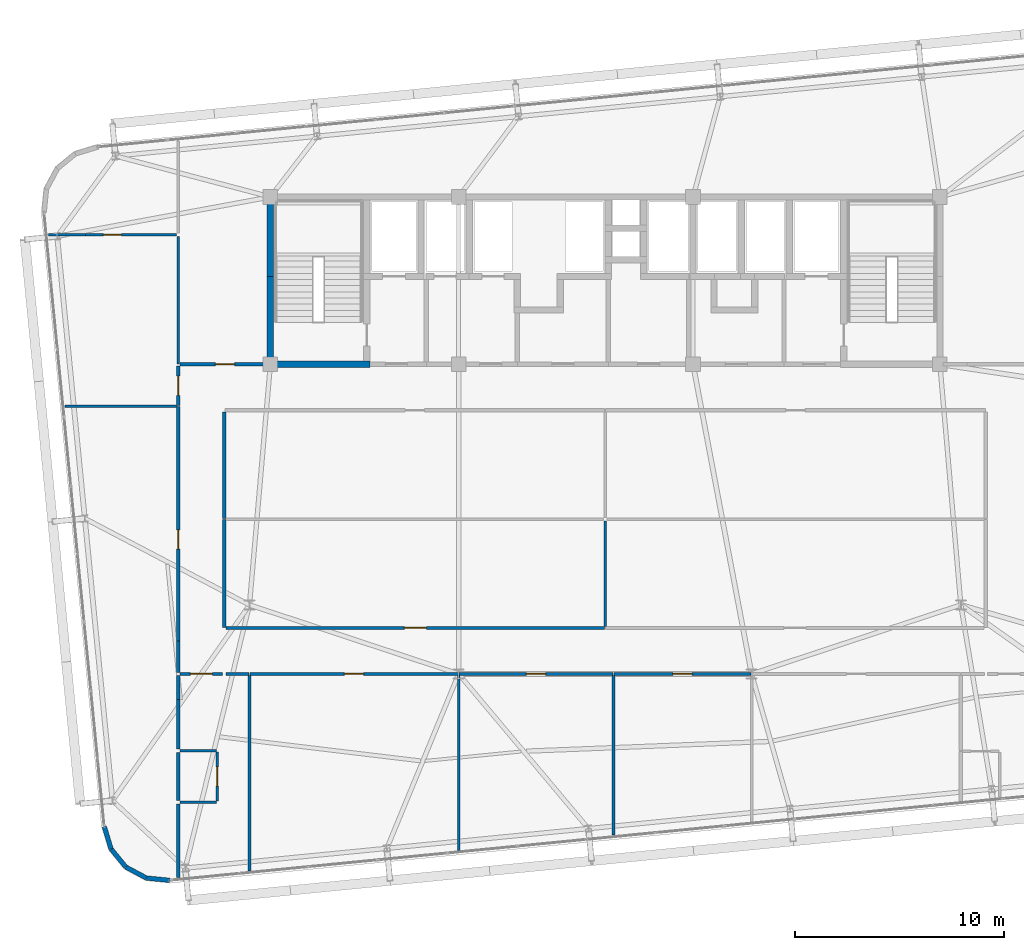
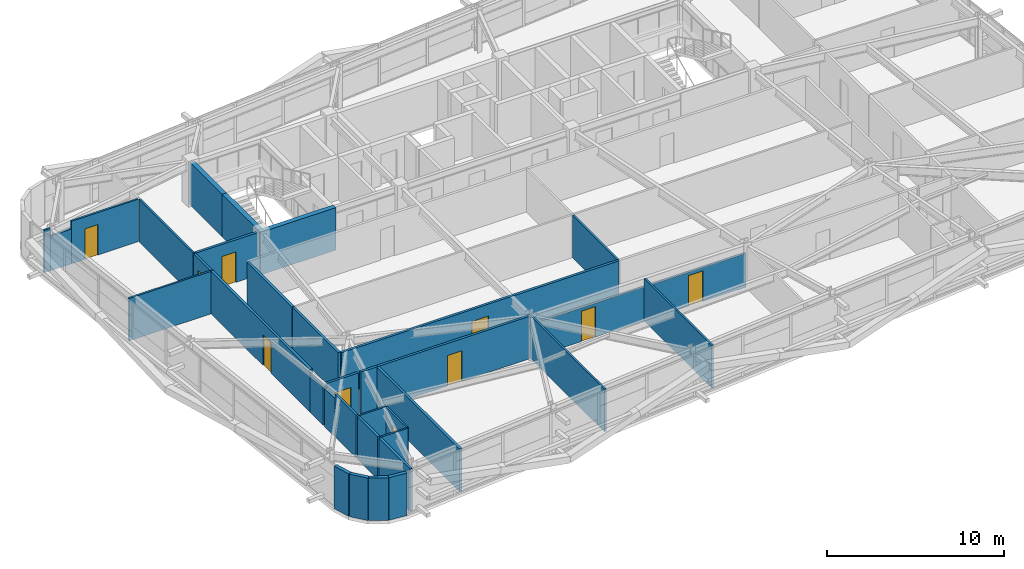
# One storey, part 46 of 52: 35 walls, 10 doors, 10 openings.
"""IFC4 building model written with IfcOpenShell, lengths in metres."""

from ifc_helpers import new_model, si_unit, direction, frame, frame_2d, origin, place, context, subcontext, project, spatial, rectangle, extrude, source, transform, mapped, material, layer, layer_set, type_object, element, fill, save


model = new_model("IFC4")

# Units and contexts
model_context = context("Model", 3, precision=1e-05, world=origin(), true_north=direction((0.0, 1.0)))
body_context = subcontext(model_context, "Body", "Model", "MODEL_VIEW")
ifc_project = project(units=[si_unit("LENGTHUNIT", "METRE"), si_unit("AREAUNIT", "SQUARE_METRE"), si_unit("VOLUMEUNIT", "CUBIC_METRE"), si_unit("PLANEANGLEUNIT", "RADIAN"), si_unit("MASSUNIT", "GRAM", prefix="KILO")], contexts=[model_context])

# Site, building, storey
site_placement = place(None, origin())
site = spatial("IfcSite", under=ifc_project, at=site_placement, CompositionType="ELEMENT")
building_placement = place(site_placement, origin())
building = spatial("IfcBuilding", under=site, at=building_placement, Name="Taldren Reach Tower", CompositionType="ELEMENT")
storey_placement = place(building_placement, frame((0.0, 0.0, 77.699951171875)))
storey = spatial("IfcBuildingStorey", under=building, at=storey_placement, Name="L23", CompositionType="ELEMENT", Elevation=77.699951171875)

# Walls
ifc_material_1 = material(Name="Pale Champagne Anodised Aluminium Cladding", Category="aluminium")
ifc_layer_1 = layer(ifc_material_1, 0.04, Name="Pale Champagne Anodised Aluminium Cladding", Category="aluminium")
ifc_material_2 = material(Name="Mineral Wool Acoustic Insulation", Category="insulation")
ifc_layer_2 = layer(ifc_material_2, 0.06, Name="Mineral Wool Acoustic Insulation", Category="insulation")
ifc_material_3 = material(Name="Steel Gr 350 (C350L0)", Category="steel")
ifc_layer_3 = layer(ifc_material_3, 0.12, Name="Steel Gr 350 (C350L0)", Category="steel")
ifc_layer_set_1 = layer_set([ifc_layer_1, ifc_layer_2, ifc_layer_3], Name="Pale Champagne Aluminium Cladding and Steel Gr 350 Stud Framing")
wall_type_1 = type_object("IfcWallType", Name="EW-CRN-220", PredefinedType="SOLIDWALL", material=ifc_layer_set_1)
shared_shape_1 = source(origin(), body_context, "Body", "SweptSolid", [
    extrude(rectangle(XDim=1.115966796875, YDim=0.219970703125, at=frame_2d((0.55810546875, 0.0))), origin(), (0.0, 0.0, 1.0), 2.929931640625),
])
for number, where, z_axis, x_axis, name in (
    (1, (11.062255859375, 1.90185546875, 0.0), (0.0, 0.0, 1.0), (0.289855603468, -0.957070388811, 0.0), "Rounded-corner pale-metal facade wall L23-SW1"),
    (2, (11.3857421875, 0.833740234375, 0.0), (0.0, 0.0, 1.0), (0.633988016432, -0.773342870285, 0.0), "Rounded-corner pale-metal facade wall L23-SW2"),
    (3, (13.0771484375, -0.5556640625, 0.0), (0.0, 0.0, 1.0), (0.995142755671, -0.09844234778, 0.0), "Rounded-corner pale-metal facade wall L23-SW4"),
):
    element("IfcWall", number, at=place(storey_placement, frame(where, z_axis=z_axis, x_axis=x_axis)), inside=storey, type_object=wall_type_1, Name=name, PredefinedType="SOLIDWALL", context=body_context, shape_type="MappedRepresentation", body=[
        mapped(shared_shape_1, transform((0.0, 0.0, 0.0), scale=1.0)),
    ])
shared_shape_2 = source(origin(), body_context, "Body", "SweptSolid", [
    extrude(rectangle(XDim=1.11572265625, YDim=0.219970703125, at=frame_2d((0.557861328125, 0.0))), origin(), (0.0, 0.0, 1.0), 2.929931640625),
])
wall_1_placement = place(storey_placement, frame((12.09326171875, -0.029296875, 0.0), z_axis=(0.0, 0.0, 1.0), x_axis=(0.881746547635, -0.471723463201, 0.0)))
element("IfcWall", 4, at=wall_1_placement, inside=storey, type_object=wall_type_1, Name="Rounded-corner pale-metal facade wall L23-SW3", PredefinedType="SOLIDWALL", context=body_context, shape_type="MappedRepresentation", body=[
    mapped(shared_shape_2, transform((0.0, 0.0, 0.0), scale=1.0)),
])

# Wall, opening, door
ifc_material_4 = material(Name="Fire-Rated Acoustic Plasterboard Stud Wall", Category="gypsum")
ifc_layer_4 = layer(ifc_material_4, 0.159912109375)
ifc_layer_set_2 = layer_set([ifc_layer_4], Name="Fire-Rated Acoustic Plasterboard Stud Wall")
wall_type_2 = type_object("IfcWallType", Name="IW-FIRE-160", PredefinedType="PARTITIONING", material=ifc_layer_set_2)
shared_shape_3 = source(origin(), body_context, "Body", "SweptSolid", [
    extrude(rectangle(XDim=2.0400390625, YDim=0.159912109375, at=frame_2d((1.02001953125, 0.0))), origin(), (0.0, 0.0, 1.0), 2.929931640625),
])
wall_2_placement = place(storey_placement, frame((16.719970703125, 9.199951171875, 0.0), z_axis=(0.0, 0.0, 1.0), x_axis=(-1.0, 0.0, 0.0)))
wall_2 = element("IfcWall", 5, at=wall_2_placement, inside=storey, type_object=wall_type_2, Name="Interior Partition Wall W-INT-L23-053", PredefinedType="PARTITIONING", context=body_context, shape_type="MappedRepresentation", body=[
    mapped(shared_shape_3, transform((0.0, 0.0, 0.0), scale=1.0)),
])
shared_shape_4 = source(origin(), body_context, "Body", "SweptSolid", [
    extrude(rectangle(XDim=1.050048828125, YDim=2.10009765625, at=frame_2d((0.52490234375, 1.050048828125))), frame((0.0, 0.08984375, 0.0), z_axis=(0.0, -1.0, 0.0), x_axis=(1.0, 0.0, 0.0)), (0.0, 0.0, 1.0), 0.179931640625),
])
opening_1_placement = place(wall_2_placement, frame((0.4951171875, 0.0, 0.0)))
opening_1 = element("IfcOpeningElement", 6, at=opening_1_placement, cuts=wall_2, Name="Opening DF-105", PredefinedType="OPENING", context=body_context, shape_type="MappedRepresentation", body=[
    mapped(shared_shape_4, transform((0.0, 0.0, 0.0), scale=1.0)),
])
ifc_material_5 = material(Name="Fire-Rated Care and Stair Exit Door")
door_type_1 = type_object("IfcDoorType", Name="ID-FIRE-105", OperationType="NOTDEFINED", PredefinedType="DOOR", material=ifc_material_5)
shared_shape_5 = source(origin(), body_context, "Body", "SweptSolid", [
    extrude(rectangle(XDim=1.050048828125, YDim=2.10009765625, at=frame_2d((0.52490234375, 1.050048828125))), frame((0.0, 0.02490234375, 0.0), z_axis=(0.0, -1.0, 0.0), x_axis=(1.0, 0.0, 0.0)), (0.0, 0.0, 1.0), 0.050048828125),
])
door_1_placement = place(opening_1_placement, origin())
door_1 = element("IfcDoor", 7, at=door_1_placement, inside=storey, type_object=door_type_1, Name="Interior Door DR-L23-011", OperationType="SINGLE_SWING_RIGHT", OverallHeight=2.10009765625, OverallWidth=1.050048828125, PredefinedType="DOOR", context=body_context, shape_type="MappedRepresentation", body=[
    mapped(shared_shape_5, transform((0.0, 0.0, 0.0), scale=1.0)),
])
fill(opening_1, door_1)

# Walls
shared_shape_6 = source(origin(), body_context, "Body", "SweptSolid", [
    extrude(rectangle(XDim=5.15966796875, YDim=0.159912109375, at=frame_2d((2.579833984375, 0.0))), origin(), (0.0, 0.0, 1.0), 2.929931640625),
])
wall_3_placement = place(storey_placement, frame((16.800048828125, 16.579833984375, 0.0), z_axis=(0.0, 0.0, 1.0), x_axis=(0.0, -1.0, 0.0)))
element("IfcWall", 8, at=wall_3_placement, inside=storey, type_object=wall_type_2, Name="Interior Partition Wall W-INT-L23-047", PredefinedType="PARTITIONING", context=body_context, shape_type="MappedRepresentation", body=[
    mapped(shared_shape_6, transform((0.0, 0.0, 0.0), scale=1.0)),
])
shared_shape_7 = source(origin(), body_context, "Body", "SweptSolid", [
    extrude(rectangle(XDim=5.099853515625, YDim=0.159912109375, at=frame_2d((2.5498046875, 0.0))), origin(), (0.0, 0.0, 1.0), 2.929931640625),
])
wall_4_placement = place(storey_placement, frame((16.800048828125, 21.719970703125, 0.0), z_axis=(0.0, 0.0, 1.0), x_axis=(0.0, -1.0, 0.0)))
element("IfcWall", 9, at=wall_4_placement, inside=storey, type_object=wall_type_2, Name="Interior Partition Wall W-INT-L23-049", PredefinedType="PARTITIONING", context=body_context, shape_type="MappedRepresentation", body=[
    mapped(shared_shape_7, transform((0.0, 0.0, 0.0), scale=1.0)),
])

# Wall, opening, door
shared_shape_8 = source(origin(), body_context, "Body", "SweptSolid", [
    extrude(rectangle(XDim=1.899658203125, YDim=0.159912109375, at=frame_2d((0.94970703125, 0.0))), origin(), (0.0, 0.0, 1.0), 2.929931640625),
])
wall_5_placement = place(storey_placement, frame((14.60009765625, 22.020263671875, 0.0), z_axis=(0.0, 0.0, 1.0), x_axis=(0.0, 1.0, 0.0)))
wall_5 = element("IfcWall", 10, at=wall_5_placement, inside=storey, type_object=wall_type_2, Name="Interior Partition Wall W-INT-L23-056", PredefinedType="PARTITIONING", context=body_context, shape_type="MappedRepresentation", body=[
    mapped(shared_shape_8, transform((0.0, 0.0, 0.0), scale=1.0)),
])
shared_shape_9 = source(origin(), body_context, "Body", "SweptSolid", [
    extrude(rectangle(XDim=0.919921875, YDim=2.10009765625, at=frame_2d((0.4599609375, 1.050048828125))), frame((0.0, 0.08984375, 0.0), z_axis=(0.0, -1.0, 0.0), x_axis=(1.0, 0.0, 0.0)), (0.0, 0.0, 1.0), 0.179931640625),
])
opening_2_placement = place(wall_5_placement, frame((0.489990234375, 0.0, 0.0)))
opening_2 = element("IfcOpeningElement", 11, at=opening_2_placement, cuts=wall_5, Name="Opening DI-092", PredefinedType="OPENING", context=body_context, shape_type="MappedRepresentation", body=[
    mapped(shared_shape_9, transform((0.0, 0.0, 0.0), scale=1.0)),
])
ifc_material_6 = material(Name="Solid-Core Timber Suite Door", Category="wood")
door_type_2 = type_object("IfcDoorType", Name="ID-INT-092", OperationType="NOTDEFINED", PredefinedType="DOOR", material=ifc_material_6)
shared_shape_10 = source(origin(), body_context, "Body", "SweptSolid", [
    extrude(rectangle(XDim=0.919921875, YDim=2.10009765625, at=frame_2d((0.4599609375, 1.050048828125))), frame((0.0, 0.02490234375, 0.0), z_axis=(0.0, -1.0, 0.0), x_axis=(1.0, 0.0, 0.0)), (0.0, 0.0, 1.0), 0.050048828125),
])
door_2_placement = place(opening_2_placement, origin())
door_2 = element("IfcDoor", 12, at=door_2_placement, inside=storey, type_object=door_type_2, Name="Interior Door DR-L23-014", OperationType="SINGLE_SWING_LEFT", OverallHeight=2.10009765625, OverallWidth=0.919921875, PredefinedType="DOOR", context=body_context, shape_type="MappedRepresentation", body=[
    mapped(shared_shape_10, transform((0.0, 0.0, 0.0), scale=1.0)),
])
fill(opening_2, door_2)

shared_shape_11 = source(origin(), body_context, "Body", "SweptSolid", [
    extrude(rectangle(XDim=18.099853515625, YDim=0.159912109375, at=frame_2d((9.0498046875, 0.0))), origin(), (0.0, 0.0, 1.0), 2.929931640625),
])
wall_6_placement = place(storey_placement, frame((16.8798828125, 11.39990234375, 0.0), z_axis=(0.0, 0.0, 1.0), x_axis=(1.0, 0.0, 0.0)))
wall_6 = element("IfcWall", 13, at=wall_6_placement, inside=storey, type_object=wall_type_2, Name="Interior Partition Wall W-INT-L23-062", PredefinedType="PARTITIONING", context=body_context, shape_type="MappedRepresentation", body=[
    mapped(shared_shape_11, transform((0.0, 0.0, 0.0), scale=1.0)),
])
opening_3_placement = place(wall_6_placement, frame((8.52490234375, 0.0, 0.0)))
opening_3 = element("IfcOpeningElement", 14, at=opening_3_placement, cuts=wall_6, Name="Opening DF-105", PredefinedType="OPENING", context=body_context, shape_type="MappedRepresentation", body=[
    mapped(shared_shape_4, transform((0.0, 0.0, 0.0), scale=1.0)),
])
door_3_placement = place(opening_3_placement, origin())
door_3 = element("IfcDoor", 15, at=door_3_placement, inside=storey, type_object=door_type_1, Name="Interior Door DR-L23-019", OperationType="SINGLE_SWING_RIGHT", OverallHeight=2.10009765625, OverallWidth=1.050048828125, PredefinedType="DOOR", context=body_context, shape_type="MappedRepresentation", body=[
    mapped(shared_shape_5, transform((0.0, 0.0, 0.0), scale=1.0)),
])
fill(opening_3, door_3)

# Walls
shared_shape_12 = source(origin(), body_context, "Body", "SweptSolid", [
    extrude(rectangle(XDim=1.099853515625, YDim=0.159912109375, at=frame_2d((0.5498046875, 0.0))), origin(), (0.0, 0.0, 1.0), 2.929931640625),
])
wall_7_placement = place(storey_placement, frame((17.979736328125, 9.199951171875, 0.0), z_axis=(0.0, 0.0, 1.0), x_axis=(-1.0, 0.0, 0.0)))
element("IfcWall", 16, at=wall_7_placement, inside=storey, type_object=wall_type_2, Name="Interior Partition Wall W-INT-L23-064", PredefinedType="PARTITIONING", context=body_context, shape_type="MappedRepresentation", body=[
    mapped(shared_shape_12, transform((0.0, 0.0, 0.0), scale=1.0)),
])
ifc_material_7 = material(Name="Insulated Residential Stud Partition", Category="gypsum")
ifc_layer_5 = layer(ifc_material_7, 0.1201171875)
ifc_layer_set_3 = layer_set([ifc_layer_5], Name="Insulated Residential Stud Partition")
wall_type_3 = type_object("IfcWallType", Name="IW-PART-120", PredefinedType="PARTITIONING", material=ifc_layer_set_3)
shared_shape_13 = source(origin(), body_context, "Body", "SweptSolid", [
    extrude(rectangle(XDim=5.0400390625, YDim=0.1201171875, at=frame_2d((2.52001953125, 0.0))), origin(), (0.0, 0.0, 1.0), 2.929931640625),
])
wall_8_placement = place(storey_placement, frame((35.0, 16.52001953125, 0.0), z_axis=(0.0, 0.0, 1.0), x_axis=(0.0, -1.0, 0.0)))
element("IfcWall", 17, at=wall_8_placement, inside=storey, type_object=wall_type_3, Name="Interior Partition Wall W-INT-L23-071", PredefinedType="PARTITIONING", context=body_context, shape_type="MappedRepresentation", body=[
    mapped(shared_shape_13, transform((0.0, 0.0, 0.0), scale=1.0)),
])

# Wall, opening, door
shared_shape_14 = source(origin(), body_context, "Body", "SweptSolid", [
    extrude(rectangle(XDim=2.330078125, YDim=0.1201171875, at=frame_2d((1.1650390625, 0.0))), origin(), (0.0, 0.0, 1.0), 2.929931640625),
])
wall_9_placement = place(storey_placement, frame((16.449951171875, 3.131591796875, 0.0), z_axis=(0.0, 0.0, 1.0), x_axis=(0.0, 1.0, 0.0)))
wall_9 = element("IfcWall", 18, at=wall_9_placement, inside=storey, type_object=wall_type_3, Name="Interior Partition Wall W-INT-L23-074", PredefinedType="PARTITIONING", context=body_context, shape_type="MappedRepresentation", body=[
    mapped(shared_shape_14, transform((0.0, 0.0, 0.0), scale=1.0)),
])
shared_shape_15 = source(origin(), body_context, "Body", "SweptSolid", [
    extrude(rectangle(XDim=0.919921875, YDim=2.10009765625, at=frame_2d((0.4599609375, 1.050048828125))), frame((0.0, 0.070068359375, 0.0), z_axis=(0.0, -1.0, 0.0), x_axis=(1.0, 0.0, 0.0)), (0.0, 0.0, 1.0), 0.14013671875),
])
opening_4_placement = place(wall_9_placement, frame((0.705078125, 0.0, 0.0)))
opening_4 = element("IfcOpeningElement", 19, at=opening_4_placement, cuts=wall_9, Name="Opening DI-092", PredefinedType="OPENING", context=body_context, shape_type="MappedRepresentation", body=[
    mapped(shared_shape_15, transform((0.0, 0.0, 0.0), scale=1.0)),
])
door_4_placement = place(opening_4_placement, origin())
door_4 = element("IfcDoor", 20, at=door_4_placement, inside=storey, type_object=door_type_2, Name="Interior Door DR-L23-025", OperationType="SINGLE_SWING_RIGHT", OverallHeight=2.10009765625, OverallWidth=0.919921875, PredefinedType="DOOR", context=body_context, shape_type="MappedRepresentation", body=[
    mapped(shared_shape_10, transform((0.0, 0.0, 0.0), scale=1.0)),
])
fill(opening_4, door_4)

# Walls
shared_shape_16 = source(origin(), body_context, "Body", "SweptSolid", [
    extrude(rectangle(XDim=1.749755859375, YDim=0.1201171875, at=frame_2d((0.875, 0.0))), origin(), (0.0, 0.0, 1.0), 2.929931640625),
])
for number, where, z_axis, x_axis, name in (
    (21, (14.679931640625, 3.071533203125, 0.0), (0.0, 0.0, 1.0), (1.0, 0.0, 0.0), "Interior Partition Wall W-INT-L23-075"),
    (22, (16.4296875, 5.521484375, 0.0), (0.0, 0.0, 1.0), (-1.0, 0.0, 0.0), "Interior Partition Wall W-INT-L23-076"),
):
    element("IfcWall", number, at=place(storey_placement, frame(where, z_axis=z_axis, x_axis=x_axis)), inside=storey, type_object=wall_type_3, Name=name, PredefinedType="PARTITIONING", context=body_context, shape_type="MappedRepresentation", body=[
        mapped(shared_shape_16, transform((0.0, 0.0, 0.0), scale=1.0)),
    ])
shared_shape_17 = source(origin(), body_context, "Body", "SweptSolid", [
    extrude(rectangle(XDim=2.2900390625, YDim=0.159912109375, at=frame_2d((1.14501953125, 0.0))), origin(), (0.0, 0.0, 1.0), 2.929931640625),
])
wall_10_placement = place(storey_placement, frame((14.60009765625, 3.151611328125, 0.0), z_axis=(0.0, 0.0, 1.0), x_axis=(0.0, 1.0, 0.0)))
element("IfcWall", 23, at=wall_10_placement, inside=storey, type_object=wall_type_2, Name="Interior Partition Wall W-INT-L23-080", PredefinedType="PARTITIONING", context=body_context, shape_type="MappedRepresentation", body=[
    mapped(shared_shape_17, transform((0.0, 0.0, 0.0), scale=1.0)),
])

# Wall, opening, door
shared_shape_18 = source(origin(), body_context, "Body", "SweptSolid", [
    extrude(rectangle(XDim=9.95947265625, YDim=0.159912109375, at=frame_2d((4.979736328125, 0.0))), origin(), (0.0, 0.0, 1.0), 2.929931640625),
])
wall_11_placement = place(storey_placement, frame((27.979736328125, 9.199951171875, 0.0), z_axis=(0.0, 0.0, 1.0), x_axis=(-1.0, 0.0, 0.0)))
wall_11 = element("IfcWall", 24, at=wall_11_placement, inside=storey, type_object=wall_type_2, Name="Interior Partition Wall W-INT-L23-065", PredefinedType="PARTITIONING", context=body_context, shape_type="MappedRepresentation", body=[
    mapped(shared_shape_18, transform((0.0, 0.0, 0.0), scale=1.0)),
])
opening_5_placement = place(wall_11_placement, frame((4.519775390625, 0.0, 0.0)))
opening_5 = element("IfcOpeningElement", 25, at=opening_5_placement, cuts=wall_11, Name="Opening DI-092", PredefinedType="OPENING", context=body_context, shape_type="MappedRepresentation", body=[
    mapped(shared_shape_9, transform((0.0, 0.0, 0.0), scale=1.0)),
])
door_5_placement = place(opening_5_placement, origin())
door_5 = element("IfcDoor", 26, at=door_5_placement, inside=storey, type_object=door_type_2, Name="Interior Door DR-L23-021", OperationType="SINGLE_SWING_RIGHT", OverallHeight=2.10009765625, OverallWidth=0.919921875, PredefinedType="DOOR", context=body_context, shape_type="MappedRepresentation", body=[
    mapped(shared_shape_10, transform((0.0, 0.0, 0.0), scale=1.0)),
])
fill(opening_5, door_5)

shared_shape_19 = source(origin(), body_context, "Body", "SweptSolid", [
    extrude(rectangle(XDim=7.359619140625, YDim=0.159912109375, at=frame_2d((3.6796875, 0.0))), origin(), (0.0, 0.0, 1.0), 2.328125),
])
wall_12_placement = place(storey_placement, frame((35.3798828125, 9.199951171875, 0.0), z_axis=(0.0, 0.0, 1.0), x_axis=(-1.0, 0.0, 0.0)))
wall_12 = element("IfcWall", 27, at=wall_12_placement, inside=storey, type_object=wall_type_2, Name="Interior Partition Wall W-INT-L23-066", PredefinedType="PARTITIONING", context=body_context, shape_type="MappedRepresentation", body=[
    mapped(shared_shape_19, transform((0.0, 0.0, 0.0), scale=1.0)),
])
opening_6_placement = place(wall_12_placement, frame((3.2197265625, 0.0, 0.0)))
opening_6 = element("IfcOpeningElement", 28, at=opening_6_placement, cuts=wall_12, Name="Opening DI-092", PredefinedType="OPENING", context=body_context, shape_type="MappedRepresentation", body=[
    mapped(shared_shape_9, transform((0.0, 0.0, 0.0), scale=1.0)),
])
door_6_placement = place(opening_6_placement, origin())
door_6 = element("IfcDoor", 29, at=door_6_placement, inside=storey, type_object=door_type_2, Name="Interior Door DR-L23-022", OperationType="SINGLE_SWING_LEFT", OverallHeight=2.10009765625, OverallWidth=0.919921875, PredefinedType="DOOR", context=body_context, shape_type="MappedRepresentation", body=[
    mapped(shared_shape_10, transform((0.0, 0.0, 0.0), scale=1.0)),
])
fill(opening_6, door_6)

shared_shape_20 = source(origin(), body_context, "Body", "SweptSolid", [
    extrude(rectangle(XDim=6.5595703125, YDim=0.159912109375, at=frame_2d((3.27978515625, 0.0))), origin(), (0.0, 0.0, 1.0), 2.328125),
])
wall_13_placement = place(storey_placement, frame((41.979736328125, 9.199951171875, 0.0), z_axis=(0.0, 0.0, 1.0), x_axis=(-1.0, 0.0, 0.0)))
wall_13 = element("IfcWall", 30, at=wall_13_placement, inside=storey, type_object=wall_type_2, Name="Interior Partition Wall W-INT-L23-067", PredefinedType="PARTITIONING", context=body_context, shape_type="MappedRepresentation", body=[
    mapped(shared_shape_20, transform((0.0, 0.0, 0.0), scale=1.0)),
])
opening_7_placement = place(wall_13_placement, frame((2.81982421875, 0.0, 0.0)))
opening_7 = element("IfcOpeningElement", 31, at=opening_7_placement, cuts=wall_13, Name="Opening DI-092", PredefinedType="OPENING", context=body_context, shape_type="MappedRepresentation", body=[
    mapped(shared_shape_9, transform((0.0, 0.0, 0.0), scale=1.0)),
])
door_7_placement = place(opening_7_placement, origin())
door_7 = element("IfcDoor", 32, at=door_7_placement, inside=storey, type_object=door_type_2, Name="Interior Door DR-L23-023", OperationType="SINGLE_SWING_RIGHT", OverallHeight=2.10009765625, OverallWidth=0.919921875, PredefinedType="DOOR", context=body_context, shape_type="MappedRepresentation", body=[
    mapped(shared_shape_10, transform((0.0, 0.0, 0.0), scale=1.0)),
])
fill(opening_7, door_7)

# Walls
ifc_material_8 = material(Name="Concrete S65 (65 MPa)", Category="concrete")
ifc_layer_6 = layer(ifc_material_8, 0.300048828125)
ifc_layer_set_4 = layer_set([ifc_layer_6], Name="Concrete S65 (65 MPa)")
wall_type_4 = type_object("IfcWallType", Name="IW-CORE-300", PredefinedType="SHEAR", material=ifc_layer_set_4)
shared_shape_21 = source(origin(), body_context, "Body", "SweptSolid", [
    extrude(rectangle(XDim=4.050048828125, YDim=0.300048828125, at=frame_2d((2.02490234375, 0.0))), origin(), (0.0, 0.0, 1.0), 2.929931640625),
])
wall_14_placement = place(storey_placement, frame((19.0, 24.14990234375, 0.0), z_axis=(0.0, 0.0, 1.0), x_axis=(0.0, 1.0, 0.0)))
element("IfcWall", 33, at=wall_14_placement, inside=storey, type_object=wall_type_4, Name="Rear Core Shear Wall W-CORE-L23-WEST1", PredefinedType="SHEAR", context=body_context, shape_type="MappedRepresentation", body=[
    mapped(shared_shape_21, transform((0.0, 0.0, 0.0), scale=1.0)),
])
shared_shape_22 = source(origin(), body_context, "Body", "SweptSolid", [
    extrude(rectangle(XDim=3.650146484375, YDim=0.300048828125, at=frame_2d((1.8251953125, 0.0))), origin(), (0.0, 0.0, 1.0), 2.929931640625),
])
wall_15_placement = place(storey_placement, frame((19.0, 28.199951171875, 0.0), z_axis=(0.0, 0.0, 1.0), x_axis=(0.0, 1.0, 0.0)))
element("IfcWall", 34, at=wall_15_placement, inside=storey, type_object=wall_type_4, Name="Rear Core Shear Wall W-CORE-L23-WEST2", PredefinedType="SHEAR", context=body_context, shape_type="MappedRepresentation", body=[
    mapped(shared_shape_22, transform((0.0, 0.0, 0.0), scale=1.0)),
])
shared_shape_23 = source(origin(), body_context, "Body", "SweptSolid", [
    extrude(rectangle(XDim=4.89990234375, YDim=0.300048828125, at=frame_2d((2.449951171875, 0.0))), origin(), (0.0, 0.0, 1.0), 2.929931640625),
])
wall_16_placement = place(storey_placement, frame((18.85009765625, 24.0, 0.0), z_axis=(0.0, 0.0, 1.0), x_axis=(1.0, 0.0, 0.0)))
element("IfcWall", 35, at=wall_16_placement, inside=storey, type_object=wall_type_4, Name="Rear Core Shear Wall W-INT-L23-003", PredefinedType="SHEAR", context=body_context, shape_type="MappedRepresentation", body=[
    mapped(shared_shape_23, transform((0.0, 0.0, 0.0), scale=1.0)),
])

# Wall, opening, door
shared_shape_24 = source(origin(), body_context, "Body", "SweptSolid", [
    extrude(rectangle(XDim=4.170166015625, YDim=0.159912109375, at=frame_2d((2.0849609375, 0.0))), origin(), (0.0, 0.0, 1.0), 2.929931640625),
])
wall_17_placement = place(storey_placement, frame((14.679931640625, 24.0, 0.0), z_axis=(0.0, 0.0, 1.0), x_axis=(1.0, 0.0, 0.0)))
wall_17 = element("IfcWall", 36, at=wall_17_placement, inside=storey, type_object=wall_type_2, Name="Interior Partition Wall W-INT-L23-060", PredefinedType="PARTITIONING", context=body_context, shape_type="MappedRepresentation", body=[
    mapped(shared_shape_24, transform((0.0, 0.0, 0.0), scale=1.0)),
])
opening_8_placement = place(wall_17_placement, frame((1.68994140625, 0.0, 0.0)))
opening_8 = element("IfcOpeningElement", 37, at=opening_8_placement, cuts=wall_17, Name="Opening DI-092", PredefinedType="OPENING", context=body_context, shape_type="MappedRepresentation", body=[
    mapped(shared_shape_9, transform((0.0, 0.0, 0.0), scale=1.0)),
])
door_8_placement = place(opening_8_placement, origin())
door_8 = element("IfcDoor", 38, at=door_8_placement, inside=storey, type_object=door_type_2, Name="Interior Door DR-L23-018", OperationType="SINGLE_SWING_LEFT", OverallHeight=2.10009765625, OverallWidth=0.919921875, PredefinedType="DOOR", context=body_context, shape_type="MappedRepresentation", body=[
    mapped(shared_shape_10, transform((0.0, 0.0, 0.0), scale=1.0)),
])
fill(opening_8, door_8)

# Walls
shared_shape_25 = source(origin(), body_context, "Body", "SweptSolid", [
    extrude(rectangle(XDim=8.3486328125, YDim=0.1201171875, at=frame_2d((4.17431640625, 0.0))), origin(), (0.0, 0.0, 1.0), 2.929931640625),
])
wall_18_placement = place(storey_placement, frame((28.0, 9.1201171875, 0.0), z_axis=(0.0, 0.0, 1.0), x_axis=(0.0, -1.0, 0.0)))
element("IfcWall", 39, at=wall_18_placement, inside=storey, type_object=wall_type_3, Name="Interior Partition Wall W-INT-L23-081", PredefinedType="PARTITIONING", context=body_context, shape_type="MappedRepresentation", body=[
    mapped(shared_shape_25, transform((0.0, 0.0, 0.0), scale=1.0)),
])
shared_shape_26 = source(origin(), body_context, "Body", "SweptSolid", [
    extrude(rectangle(XDim=9.3251953125, YDim=0.159912109375, at=frame_2d((4.66259765625, 0.0))), origin(), (0.0, 0.0, 1.0), 2.929931640625),
])
wall_19_placement = place(storey_placement, frame((18.0, 9.117919921875, 0.0), z_axis=(0.0, 0.0, 1.0), x_axis=(0.0, -1.0, 0.0)))
element("IfcWall", 40, at=wall_19_placement, inside=storey, type_object=wall_type_2, Name="Interior Partition Wall W-INT-L23-077", PredefinedType="PARTITIONING", context=body_context, shape_type="MappedRepresentation", body=[
    mapped(shared_shape_26, transform((0.0, 0.0, 0.0), scale=1.0)),
])
shared_shape_27 = source(origin(), body_context, "Body", "SweptSolid", [
    extrude(rectangle(XDim=3.5166015625, YDim=0.159912109375, at=frame_2d((1.75830078125, 0.0))), origin(), (0.0, 0.0, 1.0), 2.929931640625),
])
wall_20_placement = place(storey_placement, frame((14.60009765625, -0.52490234375, 0.0), z_axis=(0.0, 0.0, 1.0), x_axis=(0.0, 1.0, 0.0)))
element("IfcWall", 41, at=wall_20_placement, inside=storey, type_object=wall_type_2, Name="Interior Partition Wall W-INT-L23-078", PredefinedType="PARTITIONING", context=body_context, shape_type="MappedRepresentation", body=[
    mapped(shared_shape_27, transform((0.0, 0.0, 0.0), scale=1.0)),
])
shared_shape_28 = source(origin(), body_context, "Body", "SweptSolid", [
    extrude(rectangle(XDim=2.373046875, YDim=0.159912109375, at=frame_2d((1.1865234375, 0.0))), origin(), (0.0, 0.0, 1.0), 2.929931640625),
])
wall_21_placement = place(storey_placement, frame((14.60009765625, 5.6015625, 0.0), z_axis=(0.0, 0.0, 1.0), x_axis=(0.0, 1.0, 0.0)))
element("IfcWall", 42, at=wall_21_placement, inside=storey, type_object=wall_type_2, Name="Interior Partition Wall W-INT-L23-079", PredefinedType="PARTITIONING", context=body_context, shape_type="MappedRepresentation", body=[
    mapped(shared_shape_28, transform((0.0, 0.0, 0.0), scale=1.0)),
])
shared_shape_29 = source(origin(), body_context, "Body", "SweptSolid", [
    extrude(rectangle(XDim=1.143310546875, YDim=0.159912109375, at=frame_2d((0.57177734375, 0.0))), origin(), (0.0, 0.0, 1.0), 2.623046875),
])
wall_22_placement = place(storey_placement, frame((14.60009765625, 7.974609375, 0.0), z_axis=(0.0, 0.0, 1.0), x_axis=(0.0, 1.0, 0.0)))
element("IfcWall", 43, at=wall_22_placement, inside=storey, type_object=wall_type_2, Name="Interior Partition Wall W-INT-L23-079 part 2", PredefinedType="PARTITIONING", context=body_context, shape_type="MappedRepresentation", body=[
    mapped(shared_shape_29, transform((0.0, 0.0, 0.0), scale=1.0)),
])
shared_shape_30 = source(origin(), body_context, "Body", "SweptSolid", [
    extrude(rectangle(XDim=1.498291015625, YDim=0.159912109375, at=frame_2d((0.7490234375, 0.0))), origin(), (0.0, 0.0, 1.0), 2.623046875),
])
wall_23_placement = place(storey_placement, frame((14.60009765625, 9.280029296875, 0.0), z_axis=(0.0, 0.0, 1.0), x_axis=(0.0, 1.0, 0.0)))
element("IfcWall", 44, at=wall_23_placement, inside=storey, type_object=wall_type_2, Name="Interior Partition Wall W-INT-L23-055", PredefinedType="PARTITIONING", context=body_context, shape_type="MappedRepresentation", body=[
    mapped(shared_shape_30, transform((0.0, 0.0, 0.0), scale=1.0)),
])

# Wall, opening, door
shared_shape_31 = source(origin(), body_context, "Body", "SweptSolid", [
    extrude(rectangle(XDim=11.201416015625, YDim=0.159912109375, at=frame_2d((5.6005859375, 0.0))), origin(), (0.0, 0.0, 1.0), 2.929931640625),
])
wall_24_placement = place(storey_placement, frame((14.60009765625, 10.7783203125, 0.0), z_axis=(0.0, 0.0, 1.0), x_axis=(0.0, 1.0, 0.0)))
wall_24 = element("IfcWall", 45, at=wall_24_placement, inside=storey, type_object=wall_type_2, Name="Interior Partition Wall W-INT-L23-055 part 2", PredefinedType="PARTITIONING", context=body_context, shape_type="MappedRepresentation", body=[
    mapped(shared_shape_31, transform((0.0, 0.0, 0.0), scale=1.0)),
])
opening_9_placement = place(wall_24_placement, frame((4.3916015625, 0.0, 0.0)))
opening_9 = element("IfcOpeningElement", 46, at=opening_9_placement, cuts=wall_24, Name="Opening DI-092", PredefinedType="OPENING", context=body_context, shape_type="MappedRepresentation", body=[
    mapped(shared_shape_9, transform((0.0, 0.0, 0.0), scale=1.0)),
])
door_9_placement = place(opening_9_placement, origin())
door_9 = element("IfcDoor", 47, at=door_9_placement, inside=storey, type_object=door_type_2, Name="Interior Door DR-L23-013", OperationType="SINGLE_SWING_RIGHT", OverallHeight=2.10009765625, OverallWidth=0.919921875, PredefinedType="DOOR", context=body_context, shape_type="MappedRepresentation", body=[
    mapped(shared_shape_10, transform((0.0, 0.0, 0.0), scale=1.0)),
])
fill(opening_9, door_9)

# Walls
shared_shape_32 = source(origin(), body_context, "Body", "SweptSolid", [
    extrude(rectangle(XDim=7.623291015625, YDim=0.1201171875, at=frame_2d((3.8115234375, 0.0))), origin(), (0.0, 0.0, 1.0), 2.929931640625),
])
wall_25_placement = place(storey_placement, frame((35.39990234375, 9.1201171875, 0.0), z_axis=(0.0, 0.0, 1.0), x_axis=(0.0, -1.0, 0.0)))
element("IfcWall", 48, at=wall_25_placement, inside=storey, type_object=wall_type_3, Name="Interior Partition Wall W-INT-L23-082", PredefinedType="PARTITIONING", context=body_context, shape_type="MappedRepresentation", body=[
    mapped(shared_shape_32, transform((0.0, 0.0, 0.0), scale=1.0)),
])
shared_shape_33 = source(origin(), body_context, "Body", "SweptSolid", [
    extrude(rectangle(XDim=5.326171875, YDim=0.1201171875, at=frame_2d((2.6630859375, 0.0))), origin(), (0.0, 0.0, 1.0), 2.929931640625),
])
wall_26_placement = place(storey_placement, frame((9.19189453125, 22.0, 0.0), z_axis=(0.0, 0.0, 1.0), x_axis=(1.0, 0.0, 0.0)))
element("IfcWall", 49, at=wall_26_placement, inside=storey, type_object=wall_type_3, Name="Interior Partition Wall W-INT-L23-089", PredefinedType="PARTITIONING", context=body_context, shape_type="MappedRepresentation", body=[
    mapped(shared_shape_33, transform((0.0, 0.0, 0.0), scale=1.0)),
])
shared_shape_34 = source(origin(), body_context, "Body", "SweptSolid", [
    extrude(rectangle(XDim=0.4033203125, YDim=0.1201171875, at=frame_2d((0.20166015625, 0.0))), origin(), (0.0, 0.0, 1.0), 2.929931640625),
])
wall_27_placement = place(storey_placement, frame((8.385986328125, 30.199951171875, 0.0), z_axis=(0.0, 0.0, 1.0), x_axis=(1.0, 0.0, 0.0)))
element("IfcWall", 50, at=wall_27_placement, inside=storey, type_object=wall_type_3, Name="Interior Partition Wall W-INT-L23-090", PredefinedType="PARTITIONING", context=body_context, shape_type="MappedRepresentation", body=[
    mapped(shared_shape_34, transform((0.0, 0.0, 0.0), scale=1.0)),
])
shared_shape_35 = source(origin(), body_context, "Body", "SweptSolid", [
    extrude(rectangle(XDim=1.370849609375, YDim=0.1201171875, at=frame_2d((0.685546875, 0.0))), origin(), (0.0, 0.0, 1.0), 2.39697265625),
])
wall_28_placement = place(storey_placement, frame((8.789306640625, 30.199951171875, 0.0), z_axis=(0.0, 0.0, 1.0), x_axis=(1.0, 0.0, 0.0)))
element("IfcWall", 51, at=wall_28_placement, inside=storey, type_object=wall_type_3, Name="Interior Partition Wall W-INT-L23-090 part 2", PredefinedType="PARTITIONING", context=body_context, shape_type="MappedRepresentation", body=[
    mapped(shared_shape_35, transform((0.0, 0.0, 0.0), scale=1.0)),
])

# Wall, opening, door
shared_shape_36 = source(origin(), body_context, "Body", "SweptSolid", [
    extrude(rectangle(XDim=4.35986328125, YDim=0.1201171875, at=frame_2d((2.179931640625, 0.0))), origin(), (0.0, 0.0, 1.0), 2.929931640625),
])
wall_29_placement = place(storey_placement, frame((10.16015625, 30.199951171875, 0.0), z_axis=(0.0, 0.0, 1.0), x_axis=(1.0, 0.0, 0.0)))
wall_29 = element("IfcWall", 52, at=wall_29_placement, inside=storey, type_object=wall_type_3, Name="Interior Partition Wall W-INT-L23-090 part 3", PredefinedType="PARTITIONING", context=body_context, shape_type="MappedRepresentation", body=[
    mapped(shared_shape_36, transform((0.0, 0.0, 0.0), scale=1.0)),
])
shared_shape_37 = source(origin(), body_context, "Body", "SweptSolid", [
    extrude(rectangle(XDim=0.860107421875, YDim=2.10009765625, at=frame_2d((0.43017578125, 1.050048828125))), frame((0.0, 0.070068359375, 0.0), z_axis=(0.0, -1.0, 0.0), x_axis=(1.0, 0.0, 0.0)), (0.0, 0.0, 1.0), 0.14013671875),
])
opening_10_placement = place(wall_29_placement, frame((0.86279296875, 0.0, 0.0)))
opening_10 = element("IfcOpeningElement", 53, at=opening_10_placement, cuts=wall_29, Name="Opening DI-086", PredefinedType="OPENING", context=body_context, shape_type="MappedRepresentation", body=[
    mapped(shared_shape_37, transform((0.0, 0.0, 0.0), scale=1.0)),
])
ifc_material_9 = material(Name="Timber Bathroom Door", Category="wood")
door_type_3 = type_object("IfcDoorType", Name="ID-INT-086", OperationType="NOTDEFINED", PredefinedType="DOOR", material=ifc_material_9)
shared_shape_38 = source(origin(), body_context, "Body", "SweptSolid", [
    extrude(rectangle(XDim=0.860107421875, YDim=2.10009765625, at=frame_2d((0.43017578125, 1.050048828125))), frame((0.0, 0.02490234375, 0.0), z_axis=(0.0, -1.0, 0.0), x_axis=(1.0, 0.0, 0.0)), (0.0, 0.0, 1.0), 0.050048828125),
])
door_10_placement = place(opening_10_placement, origin())
door_10 = element("IfcDoor", 54, at=door_10_placement, inside=storey, type_object=door_type_3, Name="Interior Door DR-L23-027", OperationType="SINGLE_SWING_RIGHT", OverallHeight=2.10009765625, OverallWidth=0.860107421875, PredefinedType="DOOR", context=body_context, shape_type="MappedRepresentation", body=[
    mapped(shared_shape_38, transform((0.0, 0.0, 0.0), scale=1.0)),
])
fill(opening_10, door_10)

# Wall
shared_shape_39 = source(origin(), body_context, "Body", "SweptSolid", [
    extrude(rectangle(XDim=6.099853515625, YDim=0.1201171875, at=frame_2d((3.0498046875, 0.0))), origin(), (0.0, 0.0, 1.0), 2.929931640625),
])
wall_30_placement = place(storey_placement, frame((14.60009765625, 30.1201171875, 0.0), z_axis=(0.0, 0.0, 1.0), x_axis=(0.0, -1.0, 0.0)))
element("IfcWall", 55, at=wall_30_placement, inside=storey, type_object=wall_type_3, Name="Interior Partition Wall W-INT-L23-091", PredefinedType="PARTITIONING", context=body_context, shape_type="MappedRepresentation", body=[
    mapped(shared_shape_39, transform((0.0, 0.0, 0.0), scale=1.0)),
])

save(model, "model.ifc")
